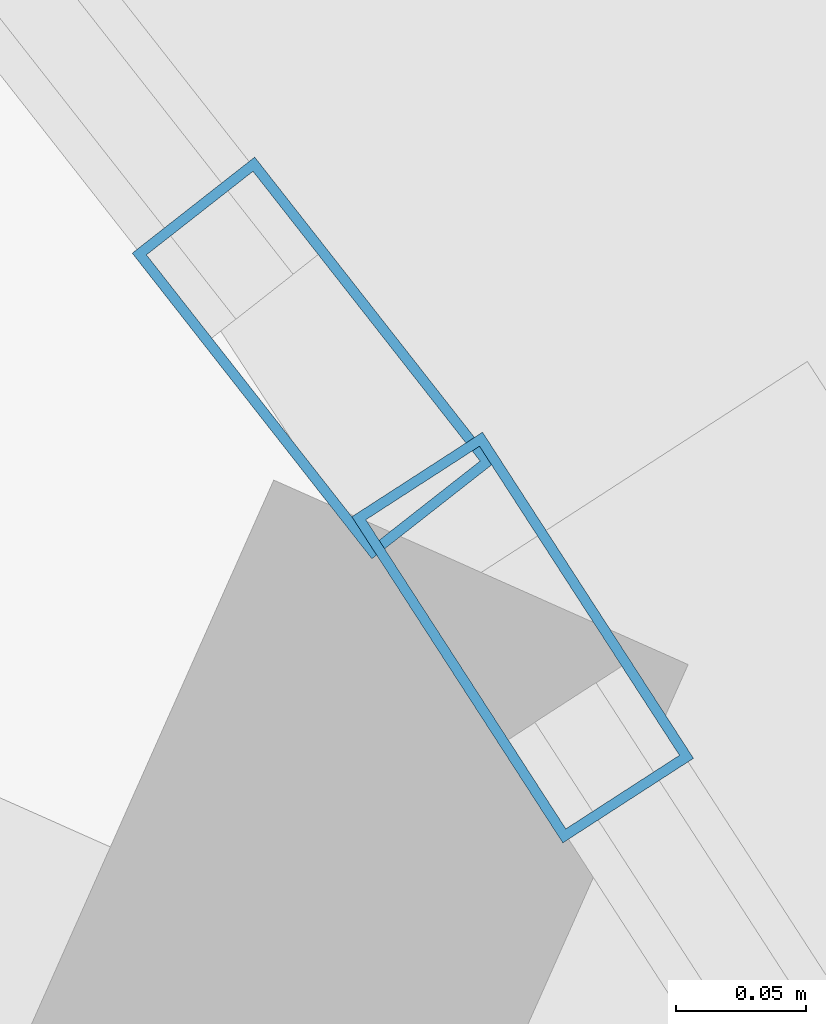
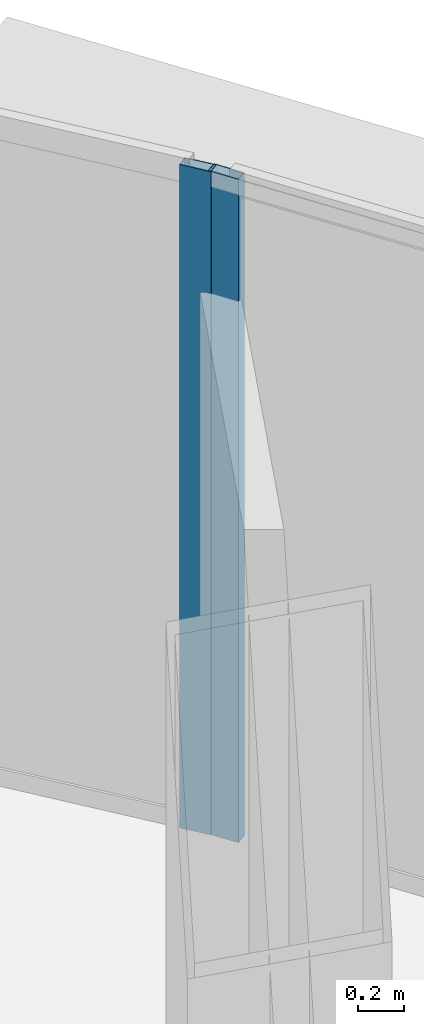
# One storey, part 22 of 40: 2 members, 2 elements without a shape of their own.
"""IFC4 building model written with IfcOpenShell, lengths in metres."""

from ifc_helpers import new_model, si_unit, direction, frame, origin, origin_2d, place, context, subcontext, project, spatial, hollow_rectangle, extrude, source, transform, mapped, material, layer, layer_set, material_profile, profile_set, type_object, element, aggregate, save


model = new_model("IFC4")

# Units and contexts
model_context = context("Model", 3, precision=1e-05, world=origin(), true_north=direction((0.0, 1.0)))
body_context = subcontext(model_context, "Body", "Model", "MODEL_VIEW")
ifc_project = project(units=[si_unit("LENGTHUNIT", "METRE"), si_unit("AREAUNIT", "SQUARE_METRE"), si_unit("VOLUMEUNIT", "CUBIC_METRE"), si_unit("PLANEANGLEUNIT", "RADIAN"), si_unit("MASSUNIT", "GRAM", prefix="KILO"), si_unit("THERMODYNAMICTEMPERATUREUNIT", "KELVIN"), si_unit("POWERUNIT", "WATT")], contexts=[model_context])

# Site, building, storey
site_placement = place(None, origin())
site = spatial("IfcSite", under=ifc_project, at=site_placement, CompositionType="ELEMENT")
building_placement = place(site_placement, origin())
building = spatial("IfcBuilding", under=site, at=building_placement, Name="Yunzhuo Pagoda Commons", CompositionType="ELEMENT")
storey_placement = place(building_placement, frame((0.0, 0.0, 180.9599609375)))
storey = spatial("IfcBuildingStorey", under=building, at=storey_placement, Name="L45", CompositionType="ELEMENT", Elevation=180.9599609375)

# Curtain wall, member
ifc_material = material(Name="Anodized aluminium 6063-T6", Category="aluminium")
ifc_layer = layer(ifc_material, 0.14990234375)
ifc_layer_set = layer_set([ifc_layer], Name="Anodized aluminium 6063-T6")
curtain_wall_type = type_object("IfcCurtainWallType", Name="CW-MID Mid-Zone Ribbon Curtain Wall", PredefinedType="NOTDEFINED", material=ifc_layer_set)
curtain_wall_1_placement = place(storey_placement, origin())
curtain_wall_1 = element("IfcCurtainWall", 1, at=curtain_wall_1_placement, inside=storey, type_object=curtain_wall_type, Name="L45 curtain wall CW-L45-F2B4", PredefinedType="NOTDEFINED")
ifc_material_profile = material_profile(ifc_material, hollow_rectangle(XDim=0.06005859375, YDim=0.14990234375, WallThickness=0.00390625, at=origin_2d()), Name="Anodized aluminium 6063-T6")
ifc_profile_set = profile_set([ifc_material_profile], Name="Anodized aluminium 6063-T6")
member_type = type_object("IfcMemberType", Name="CW-MID-M Mullion RHS 150x60x4", PredefinedType="MULLION", material=ifc_profile_set)
shared_shape = source(origin(), body_context, "Body", "SweptSolid", [
    extrude(hollow_rectangle(XDim=0.06005859375, YDim=0.14990234375, WallThickness=0.00390625, at=origin_2d()), origin(), (0.0, 0.0, 1.0), 3.5400390625),
])
member_1_placement = place(storey_placement, frame((63.715576171875, 68.93603515625, 0.0), z_axis=(0.0, 0.0, 1.0), x_axis=(-0.839626850374, -0.543163651335, 0.0)))
member_1 = element("IfcMember", 2, at=member_1_placement, type_object=member_type, Name="CW mullion 2", PredefinedType="MULLION", context=body_context, shape_type="MappedRepresentation", body=[
    mapped(shared_shape, transform((0.0, 0.0, 0.0), scale=1.0)),
])
aggregate(curtain_wall_1, [member_1])

curtain_wall_2_placement = place(storey_placement, origin())
curtain_wall_2 = element("IfcCurtainWall", 3, at=curtain_wall_2_placement, inside=storey, type_object=curtain_wall_type, Name="L45 curtain wall CW-L45-F2B5", PredefinedType="NOTDEFINED")
member_2_placement = place(storey_placement, frame((63.634765625, 69.0439453125, 0.0), z_axis=(0.0, 0.0, 1.0), x_axis=(-0.786950244655, -0.617016460427, 0.0)))
member_2 = element("IfcMember", 4, at=member_2_placement, type_object=member_type, Name="CW mullion 1", PredefinedType="MULLION", context=body_context, shape_type="MappedRepresentation", body=[
    mapped(shared_shape, transform((0.0, 0.0, 0.0), scale=1.0)),
])
aggregate(curtain_wall_2, [member_2])

save(model, "model.ifc")
